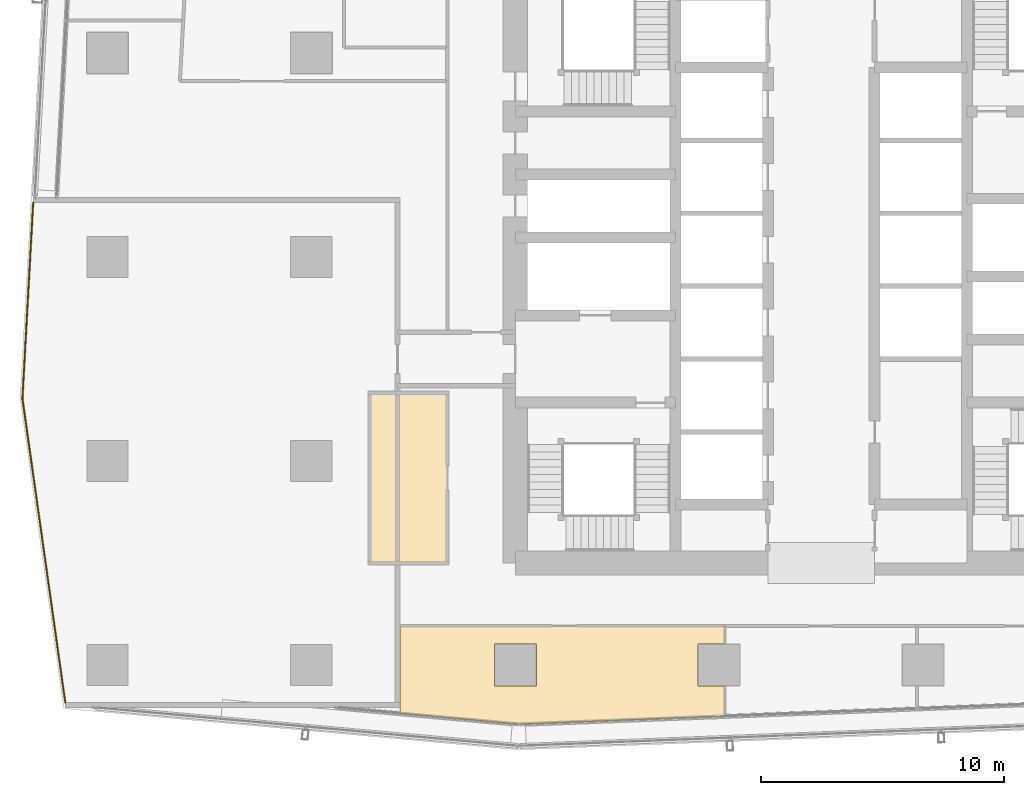
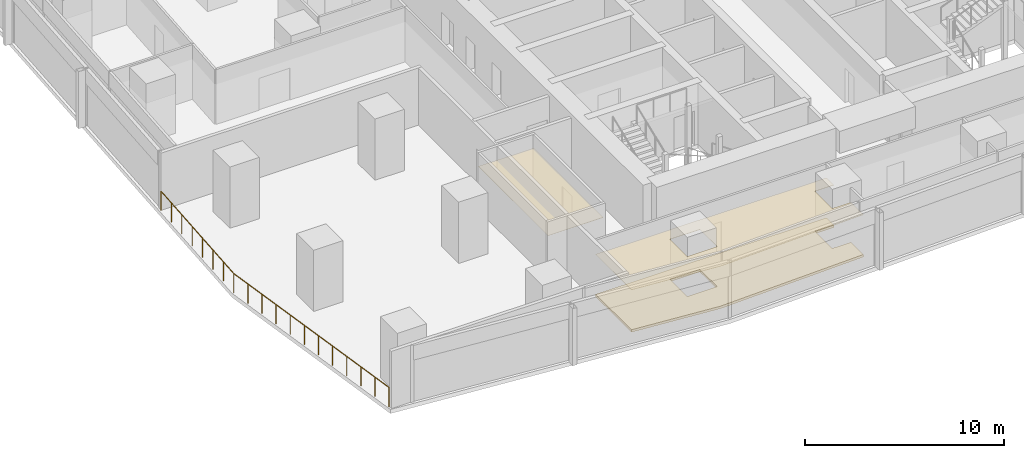
# One storey, part 31 of 38: 3 coverings, 1 railing.
"""IFC4 building model written with IfcOpenShell, lengths in metres."""

from ifc_helpers import new_model, si_unit, direction, frame, origin, origin_2d, place, context, subcontext, project, spatial, polyline, circle, outline, extrude, material, layer, layer_set, type_object, element, save


model = new_model("IFC4")

# Units and contexts
model_context = context("Model", 3, precision=1e-05, world=origin(), true_north=direction((0.0, 1.0)))
body_context = subcontext(model_context, "Body", "Model", "MODEL_VIEW")
ifc_project = project(units=[si_unit("LENGTHUNIT", "METRE"), si_unit("AREAUNIT", "SQUARE_METRE"), si_unit("VOLUMEUNIT", "CUBIC_METRE"), si_unit("PLANEANGLEUNIT", "RADIAN"), si_unit("MASSUNIT", "GRAM", prefix="KILO")], contexts=[model_context])

# Site, building, storey
site_placement = place(None, origin())
site = spatial("IfcSite", under=ifc_project, at=site_placement, CompositionType="ELEMENT")
building_placement = place(site_placement, origin())
building = spatial("IfcBuilding", under=site, at=building_placement, Name="Rekha Terrace Tower", CompositionType="ELEMENT")
storey_placement = place(building_placement, frame((0.0, 0.0, 114.050048828125)))
storey = spatial("IfcBuildingStorey", under=building, at=storey_placement, Name="L28", CompositionType="ELEMENT", Elevation=114.050048828125)

# Coverings
ifc_material_1 = material(Name="Mineral fibre tile in exposed grid", Category="finish")
ifc_layer_1 = layer(ifc_material_1, 0.02001953125)
ifc_layer_set_1 = layer_set([ifc_layer_1], Name="Mineral fibre tile in exposed grid")
covering_type_1 = type_object("IfcCoveringType", Name="CL1 600x1200 office grid ceiling", PredefinedType="CEILING", material=ifc_layer_set_1)
covering_1_placement = place(storey_placement, frame((0.0, 0.0, 2.579833984375)))
element("IfcCovering", 1, at=covering_1_placement, inside=storey, type_object=covering_type_1, Name="Ceiling L28-20", PredefinedType="CEILING", context=body_context, shape_type="SweptSolid", body=[
    extrude(outline(polyline([(33.824951171875, 17.6650390625), (33.824951171875, 18.39990234375), (20.450927734375, 18.39990234375), (20.450927734375, 14.806884765625), (25.347900390625, 14.362060546875), (33.824951171875, 14.69189453125), (33.824951171875, 15.93505859375), (32.735107421875, 15.93505859375), (32.735107421875, 17.6650390625), (33.824951171875, 17.6650390625)]), holes=[polyline([(26.06494140625, 17.6650390625), (26.06494140625, 15.93505859375), (24.3349609375, 15.93505859375), (24.3349609375, 17.6650390625), (26.06494140625, 17.6650390625)])]), origin(), (0.0, 0.0, 1.0), 0.02001953125),
])
ifc_material_2 = material(Name="Fibre cement board", Category="finish")
ifc_layer_2 = layer(ifc_material_2, 0.014892578125)
ifc_layer_set_2 = layer_set([ifc_layer_2], Name="Fibre cement board")
covering_type_2 = type_object("IfcCoveringType", Name="CL2 moisture-resistant board ceiling", PredefinedType="CEILING", material=ifc_layer_set_2)
covering_2_placement = place(storey_placement, frame((0.0, 0.0, 2.5849609375)))
element("IfcCovering", 2, at=covering_2_placement, inside=storey, type_object=covering_type_2, Name="Ceiling L28-WCM", PredefinedType="CEILING", context=body_context, shape_type="SweptSolid", body=[
    extrude(outline(polyline([(22.39990234375, 28.0), (19.199951171875, 28.0), (19.199951171875, 21.0), (22.39990234375, 21.0), (22.39990234375, 28.0)])), origin(), (0.0, 0.0, 1.0), 0.014892578125),
])

# Railing
ifc_material_3 = material(Name="Steel guard with vertical balusters", Category="steel")
railing_type = type_object("IfcRailingType", Name="GR2 refuge area guard 1200", PredefinedType="GUARDRAIL", material=ifc_material_3)
railing_placement = place(storey_placement, frame((6.666015625, 15.248046875, 0.0)))
element("IfcRailing", 3, at=railing_placement, inside=storey, type_object=railing_type, Name="Refuge area guard L28", PredefinedType="GUARDRAIL", context=body_context, shape_type="SweptSolid", body=[
    extrude(circle(Radius=0.02392578125, at=origin_2d()), frame((0.0, 0.0, 1.17578125), z_axis=(-0.139637534199, 0.990202685839, 0.0), x_axis=(-0.990202685839, -0.139637534199, 0.0)), (0.0, 0.0, 1.0), 12.64794921875),
    extrude(circle(Radius=0.02392578125, at=origin_2d()), frame((-1.76611328125, 12.52392578125, 1.17578125), z_axis=(0.054819285843, 0.998496292382, 0.0), x_axis=(-0.998496292382, 0.054819285843, 0.0)), (0.0, 0.0, 1.0), 8.083251953125),
    extrude(circle(Radius=0.02099609375, at=origin_2d()), origin(), (0.0, 0.0, 1.0), 1.15185546875),
    extrude(circle(Radius=0.02099609375, at=origin_2d()), frame((-0.16064453125, 1.138427734375, 0.0)), (0.0, 0.0, 1.0), 1.15185546875),
    extrude(circle(Radius=0.02099609375, at=origin_2d()), frame((-0.321044921875, 2.277099609375, 0.0)), (0.0, 0.0, 1.0), 1.15185546875),
    extrude(circle(Radius=0.02099609375, at=origin_2d()), frame((-0.481689453125, 3.41552734375, 0.0)), (0.0, 0.0, 1.0), 1.15185546875),
    extrude(circle(Radius=0.02099609375, at=origin_2d()), frame((-0.642333984375, 4.55419921875, 0.0)), (0.0, 0.0, 1.0), 1.15185546875),
    extrude(circle(Radius=0.02099609375, at=origin_2d()), frame((-0.802734375, 5.692626953125, 0.0)), (0.0, 0.0, 1.0), 1.15185546875),
    extrude(circle(Radius=0.02099609375, at=origin_2d()), frame((-0.96337890625, 6.831298828125, 0.0)), (0.0, 0.0, 1.0), 1.15185546875),
    extrude(circle(Radius=0.02099609375, at=origin_2d()), frame((-1.123779296875, 7.9697265625, 0.0)), (0.0, 0.0, 1.0), 1.15185546875),
    extrude(circle(Radius=0.02099609375, at=origin_2d()), frame((-1.284423828125, 9.1083984375, 0.0)), (0.0, 0.0, 1.0), 1.15185546875),
    extrude(circle(Radius=0.02099609375, at=origin_2d()), frame((-1.445068359375, 10.246826171875, 0.0)), (0.0, 0.0, 1.0), 1.15185546875),
    extrude(circle(Radius=0.02099609375, at=origin_2d()), frame((-1.60546875, 11.385498046875, 0.0)), (0.0, 0.0, 1.0), 1.15185546875),
    extrude(circle(Radius=0.02099609375, at=origin_2d()), frame((-1.76611328125, 12.52392578125, 0.0)), (0.0, 0.0, 1.0), 1.15185546875),
    extrude(circle(Radius=0.02099609375, at=origin_2d()), frame((-1.702880859375, 13.677001953125, 0.0)), (0.0, 0.0, 1.0), 1.15185546875),
    extrude(circle(Radius=0.02099609375, at=origin_2d()), frame((-1.639404296875, 14.829833984375, 0.0)), (0.0, 0.0, 1.0), 1.15185546875),
    extrude(circle(Radius=0.02099609375, at=origin_2d()), frame((-1.576171875, 15.98291015625, 0.0)), (0.0, 0.0, 1.0), 1.15185546875),
    extrude(circle(Radius=0.02099609375, at=origin_2d()), frame((-1.512939453125, 17.135986328125, 0.0)), (0.0, 0.0, 1.0), 1.15185546875),
    extrude(circle(Radius=0.02099609375, at=origin_2d()), frame((-1.44970703125, 18.2890625, 0.0)), (0.0, 0.0, 1.0), 1.15185546875),
    extrude(circle(Radius=0.02099609375, at=origin_2d()), frame((-1.38623046875, 19.44189453125, 0.0)), (0.0, 0.0, 1.0), 1.15185546875),
    extrude(circle(Radius=0.02099609375, at=origin_2d()), frame((-1.322998046875, 20.594970703125, 0.0)), (0.0, 0.0, 1.0), 1.15185546875),
])

# Covering
ifc_material_4 = material(Name="Calcium sulphate panels on steel pedestals", Category="steel")
ifc_layer_3 = layer(ifc_material_4, 0.14990234375)
ifc_layer_set_3 = layer_set([ifc_layer_3], Name="Calcium sulphate panels on steel pedestals")
covering_type_3 = type_object("IfcCoveringType", Name="RF1 150 raised access floor", PredefinedType="FLOORING", material=ifc_layer_set_3)
covering_3_placement = place(storey_placement, origin())
element("IfcCovering", 4, at=covering_3_placement, inside=storey, type_object=covering_type_3, Name="Raised floor L28-20", PredefinedType="FLOORING", context=body_context, shape_type="SweptSolid", body=[
    extrude(outline(polyline([(33.824951171875, 17.6650390625), (33.824951171875, 18.39990234375), (20.450927734375, 18.39990234375), (20.450927734375, 14.806884765625), (25.347900390625, 14.362060546875), (33.824951171875, 14.69189453125), (33.824951171875, 15.93505859375), (32.735107421875, 15.93505859375), (32.735107421875, 17.6650390625), (33.824951171875, 17.6650390625)]), holes=[polyline([(26.06494140625, 17.6650390625), (26.06494140625, 15.93505859375), (24.3349609375, 15.93505859375), (24.3349609375, 17.6650390625), (26.06494140625, 17.6650390625)])]), origin(), (0.0, 0.0, 1.0), 0.14990234375),
])

save(model, "model.ifc")
